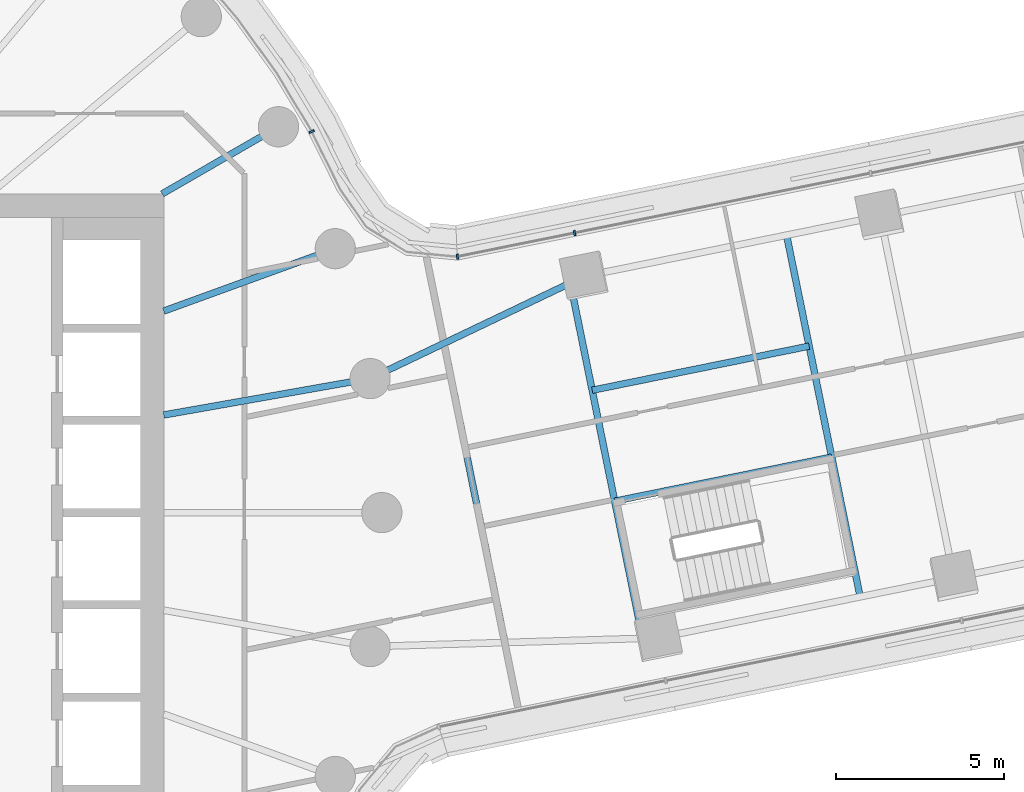
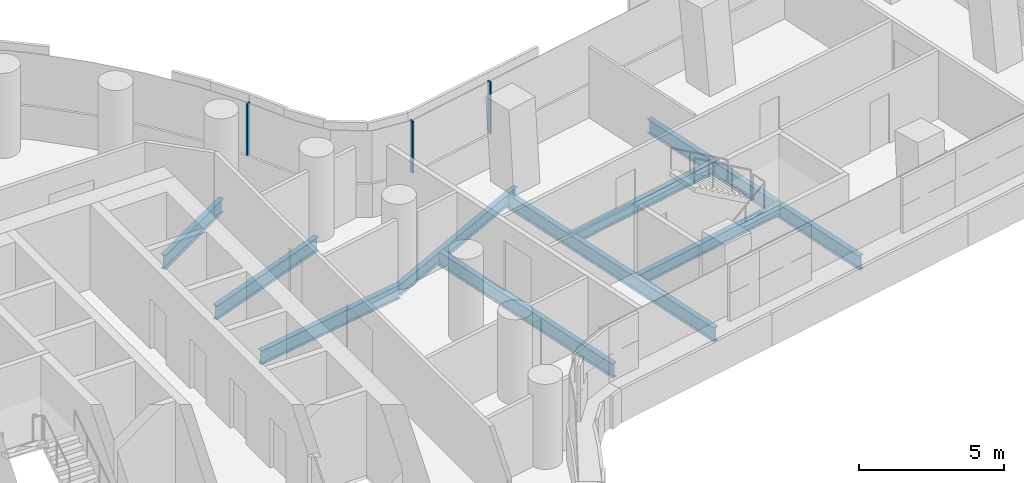
# One storey, part 11 of 31: 9 beams, 3 members, 2 elements without a shape of their own.
"""IFC4 building model written with IfcOpenShell, lengths in metres."""

import ifcopenshell
import ifcopenshell.guid

model = None  # the IFC model being written
_history = None  # IfcOwnerHistory: only IFC2X3 demands one
_inside = {}  # id of a spatial element -> (the spatial element, [elements in it])
_under = {}  # id of a project, library or spatial element -> (it, [spatial elements below it])
_declared = {}  # id of a project -> (the project, [libraries it declares])
_typed = {}  # id of a type object -> (the type object, [elements of that type])
_made_of = {}  # id of a material, layer set ... -> (it, [elements and type objects made of it])


def new_model(schema):
    """Start an empty IFC model of exactly this schema.

    Asked for "IFC4X3", IfcOpenShell would pick the latest addendum, in which some entities
    have other attributes; the version numbers below select the first issue.
    IFC2X3 requires an IfcOwnerHistory on every rooted entity: one is made here for all.
    """
    global model, _history
    if schema == "IFC4X3":
        model = ifcopenshell.file(schema_version=(4, 3, 0, 0))
    else:
        model = ifcopenshell.file(schema=schema)
    _inside.clear()
    _under.clear()
    _declared.clear()
    _typed.clear()
    _made_of.clear()
    _history = None
    if model.schema == "IFC2X3":
        org = make("IfcOrganization", Name="unknown")
        user = make(
            "IfcPersonAndOrganization",
            ThePerson=make("IfcPerson", FamilyName="unknown"),
            TheOrganization=org,
        )
        app = make(
            "IfcApplication",
            ApplicationDeveloper=org,
            Version="unknown",
            ApplicationFullName="unknown",
            ApplicationIdentifier="unknown",
        )
        _history = make(
            "IfcOwnerHistory",
            OwningUser=user,
            OwningApplication=app,
            ChangeAction="ADDED",
            CreationDate=0,
        )
    return model


def make(cls, **values):
    """One entity of the class cls with the attributes given. An attribute that is None is left unset."""
    return model.create_entity(
        cls, **{name: value for name, value in values.items() if value is not None}
    )


def rooted(cls, **values):
    """An entity with a GlobalId (a new one), such as an element, a storey or a relation."""
    return make(cls, GlobalId=ifcopenshell.guid.new(), OwnerHistory=_history, **values)


def si_unit(unit_type, name, prefix=None):
    """IfcSIUnit, for example si_unit("LENGTHUNIT", "METRE", prefix="MILLI")."""
    return make("IfcSIUnit", UnitType=unit_type, Prefix=prefix, Name=name)


def assignment(units):
    """IfcUnitAssignment: the units of a project."""
    return None if units is None else make("IfcUnitAssignment", Units=units)


def point(xyz):
    """IfcCartesianPoint."""
    return None if xyz is None else make("IfcCartesianPoint", Coordinates=xyz)


def direction(xyz):
    """IfcDirection."""
    return None if xyz is None else make("IfcDirection", DirectionRatios=xyz)


def frame(location, z_axis=None, x_axis=None):
    """IfcAxis2Placement3D, a coordinate frame: its origin and axes. An axis left out is left unset."""
    return make(
        "IfcAxis2Placement3D",
        Location=point(location),
        Axis=direction(z_axis),
        RefDirection=direction(x_axis),
    )


def frame_2d(location, x_axis=None):
    """IfcAxis2Placement2D, a coordinate frame in the plane: its origin and x axis."""
    return make(
        "IfcAxis2Placement2D", Location=point(location), RefDirection=direction(x_axis)
    )


def origin():
    """The frame at (0, 0, 0) with its axes left unset."""
    return frame((0.0, 0.0, 0.0))


def origin_2d():
    """The frame at (0, 0) in the plane with its x axis left unset."""
    return frame_2d((0.0, 0.0))


def place(relative_to, where):
    """IfcLocalPlacement: puts the frame where relative to a parent placement (None: the world)."""
    return make(
        "IfcLocalPlacement", PlacementRelTo=relative_to, RelativePlacement=where
    )


def context(
    kind, dimensions, precision=None, world=None, true_north=None, identifier=None
):
    """IfcGeometricRepresentationContext, for example the 3D "Model" context."""
    return make(
        "IfcGeometricRepresentationContext",
        ContextIdentifier=identifier,
        ContextType=kind,
        CoordinateSpaceDimension=dimensions,
        Precision=precision,
        WorldCoordinateSystem=world,
        TrueNorth=true_north,
    )


def subcontext(parent, identifier, kind, view, scale=None):
    """IfcGeometricRepresentationSubContext, for example "Body" below "Model"."""
    return make(
        "IfcGeometricRepresentationSubContext",
        ContextIdentifier=identifier,
        ContextType=kind,
        ParentContext=parent,
        TargetScale=scale,
        TargetView=view,
    )


def project(units=None, contexts=None):
    """IfcProject with its units and contexts."""
    return rooted(
        "IfcProject",
        Name="project",
        RepresentationContexts=contexts,
        UnitsInContext=assignment(units),
    )


def spatial(cls, under=None, at=None, **own):
    """A site, building, storey or space (cls), placed at a placement, below another one or the project."""
    s = rooted(cls, ObjectPlacement=at, **own)
    if under is not None:
        _under.setdefault(under.id(), (under, []))[1].append(s)
    return s


def profile(cls, at=None, kind="AREA", **sizes):
    """A parametric profile (cls). Its sizes go by their IFC names, for example OverallWidth=200.0."""
    return make(cls, ProfileType=kind, Position=at, **sizes)


def rectangle(**sizes):
    """IfcRectangleProfileDef."""
    return profile("IfcRectangleProfileDef", **sizes)


def i_section(**sizes):
    """IfcIShapeProfileDef."""
    return profile("IfcIShapeProfileDef", **sizes)


def extrude(swept, where, along, depth):
    """IfcExtrudedAreaSolid: the profile swept, set in the frame where, extruded along a direction by depth."""
    return make(
        "IfcExtrudedAreaSolid",
        SweptArea=swept,
        Position=where,
        ExtrudedDirection=direction(along),
        Depth=depth,
    )


def shape(context_of_items, identifier, shape_type, items):
    """IfcShapeRepresentation: the items that make up one representation, for example the "Body"."""
    return make(
        "IfcShapeRepresentation",
        ContextOfItems=context_of_items,
        RepresentationIdentifier=identifier,
        RepresentationType=shape_type,
        Items=items,
    )


def material(Name=None, Category=None):
    """IfcMaterial."""
    return make("IfcMaterial", Name=Name, Category=Category)


def layer(
    of_material, thickness, ventilated=None, Name=None, Category=None, Priority=None
):
    """IfcMaterialLayer: one layer of a wall or slab, of a material (None: an air gap)."""
    return make(
        "IfcMaterialLayer",
        Material=of_material,
        LayerThickness=thickness,
        IsVentilated=ventilated,
        Name=Name,
        Category=Category,
        Priority=Priority,
    )


def layer_set(layers, Name=None):
    """IfcMaterialLayerSet."""
    return make("IfcMaterialLayerSet", MaterialLayers=layers, LayerSetName=Name)


def material_profile(
    of_material, cross_section, Name=None, Category=None, Priority=None
):
    """IfcMaterialProfile: a cross section and its material."""
    return make(
        "IfcMaterialProfile",
        Name=Name,
        Material=of_material,
        Profile=cross_section,
        Priority=Priority,
        Category=Category,
    )


def profile_set(profiles, Name=None, composite=None):
    """IfcMaterialProfileSet."""
    return make(
        "IfcMaterialProfileSet",
        Name=Name,
        MaterialProfiles=profiles,
        CompositeProfile=composite,
    )


def made_of(thing, what):
    """Note that an element or type object is made of a material, layer set ...; save() writes the relation."""
    if what is not None:
        _made_of.setdefault(what.id(), (what, []))[1].append(thing)
    return thing


def type_object(cls, material=None, **own):
    """A type object (cls), such as IfcWallType, which elements share."""
    return made_of(rooted(cls, **own), material)


def element(
    cls,
    number,
    at=None,
    inside=None,
    cuts=None,
    type_object=None,
    material=None,
    context=None,
    identifier="Body",
    shape_type=None,
    held_by="IfcProductDefinitionShape",
    body=None,
    shapes=None,
    **own,
):
    """One element of the class cls, such as IfcWall. Its Tag is "e" and its number.

    at: its placement. inside: the storey or other place that contains it. cuts: it is an
    opening in that element (IfcRelVoidsElement). A single representation is given by context,
    identifier, shape_type and body (its items); several are given by shapes. held_by: the class
    of the entity that holds the representations. save() writes the other relations.
    """
    e = rooted(cls, Tag="e%d" % number, ObjectPlacement=at, **own)
    if body is not None:
        shapes = [shape(context, identifier, shape_type, body)]
    if shapes is not None:
        e.Representation = make(held_by, Representations=shapes)
    if inside is not None:
        _inside.setdefault(inside.id(), (inside, []))[1].append(e)
    if cuts is not None:
        rooted(
            "IfcRelVoidsElement", RelatingBuildingElement=cuts, RelatedOpeningElement=e
        )
    if type_object is not None:
        _typed.setdefault(type_object.id(), (type_object, []))[1].append(e)
    return made_of(e, material)


def aggregate(whole, parts):
    """IfcRelAggregates: a whole, such as a stair, and the parts it consists of."""
    return rooted("IfcRelAggregates", RelatingObject=whole, RelatedObjects=parts)


def save(model, path):
    """Write the relations noted so far, then the file.

    IfcRelAggregates (storeys below a building ...), IfcRelContainedInSpatialStructure (elements
    in a storey), IfcRelDefinesByType, IfcRelAssociatesMaterial and IfcRelDeclares: one each for
    every whole, place, type object, material and project.
    """
    for whole, parts in _under.values():
        aggregate(whole, parts)
    for where, things in _inside.values():
        rooted(
            "IfcRelContainedInSpatialStructure",
            RelatedElements=things,
            RelatingStructure=where,
        )
    for kind, things in _typed.values():
        rooted("IfcRelDefinesByType", RelatedObjects=things, RelatingType=kind)
    for what, things in _made_of.values():
        rooted("IfcRelAssociatesMaterial", RelatedObjects=things, RelatingMaterial=what)
    for by, libraries in _declared.values():
        rooted("IfcRelDeclares", RelatingContext=by, RelatedDefinitions=libraries)
    model.write(path)


model = new_model("IFC4")

# Units and contexts
model_context = context("Model", 3, precision=1e-05, world=origin(), true_north=direction((0.0, 1.0)))
body_context = subcontext(model_context, "Body", "Model", "MODEL_VIEW")
ifc_project = project(units=[si_unit("LENGTHUNIT", "METRE"), si_unit("AREAUNIT", "SQUARE_METRE"), si_unit("VOLUMEUNIT", "CUBIC_METRE"), si_unit("PLANEANGLEUNIT", "RADIAN"), si_unit("MASSUNIT", "GRAM", prefix="KILO")], contexts=[model_context])

# Site, building, storey
site_placement = place(None, origin())
site = spatial("IfcSite", under=ifc_project, at=site_placement, CompositionType="ELEMENT")
building_placement = place(site_placement, origin())
building = spatial("IfcBuilding", under=site, at=building_placement, Name="Tamarind Cross Interchange Tower", CompositionType="ELEMENT")
storey_placement = place(building_placement, frame((0.0, 0.0, 75.25)))
storey = spatial("IfcBuildingStorey", under=building, at=storey_placement, Name="L17", CompositionType="ELEMENT", Elevation=75.25)

# Beams
ifc_material_1 = material(Name="Steel Q355B", Category="steel")
ifc_material_profile_1 = material_profile(ifc_material_1, i_section(OverallWidth=0.198974609375, OverallDepth=0.49609375, WebThickness=0.009033203125, FlangeThickness=0.013916015625, FilletRadius=0.012939453125, at=origin_2d()), Name="HN 496x199x9x14")
ifc_profile_set_1 = profile_set([ifc_material_profile_1], Name="Steel Q355B")
beam_type_1 = type_object("IfcBeamType", Name="Composite beam HN 496x199x9x14 Q355B", PredefinedType="BEAM", material=ifc_profile_set_1)
beam_1_placement = place(storey_placement, frame((29.037841796875, 7.04345703125, -0.387939453125), z_axis=(-0.902419471347, -0.430858558849, 0.0), x_axis=(0.430858558849, -0.902419471347, 0.0)))
element("IfcBeam", 1, at=beam_1_placement, inside=storey, type_object=beam_type_1, Name="Beam E-linkep", PredefinedType="BEAM", context=body_context, shape_type="SweptSolid", body=[
    extrude(i_section(OverallWidth=0.198974609375, OverallDepth=0.49609375, WebThickness=0.009033203125, FlangeThickness=0.013916015625, FilletRadius=0.012939453125, at=origin_2d()), origin(), (0.0, 0.0, 1.0), 7.077880859375),
])
beam_2_placement = place(storey_placement, frame((29.941650390625, 0.339111328125, -0.387939453125), z_axis=(0.979952577823, 0.199230884197, 0.0), x_axis=(-0.199230884197, 0.979952577823, 0.0)))
element("IfcBeam", 2, at=beam_2_placement, inside=storey, type_object=beam_type_1, Name="Beam E-tr1", PredefinedType="BEAM", context=body_context, shape_type="SweptSolid", body=[
    extrude(i_section(OverallWidth=0.198974609375, OverallDepth=0.49609375, WebThickness=0.009033203125, FlangeThickness=0.013916015625, FilletRadius=0.012939453125, at=origin_2d()), origin(), (0.0, 0.0, 1.0), 6.60009765625),
])
beam_3_placement = place(storey_placement, frame((29.269287109375, 3.646484375, -0.387939453125), z_axis=(0.979951109481, 0.199238106363, 0.0), x_axis=(-0.199238106363, 0.979951109481, 0.0)))
element("IfcBeam", 3, at=beam_3_placement, inside=storey, type_object=beam_type_1, Name="Beam E-stripp", PredefinedType="BEAM", context=body_context, shape_type="SweptSolid", body=[
    extrude(i_section(OverallWidth=0.198974609375, OverallDepth=0.49609375, WebThickness=0.009033203125, FlangeThickness=0.013916015625, FilletRadius=0.012939453125, at=origin_2d()), origin(), (0.0, 0.0, 1.0), 6.599853515625),
])
ifc_material_profile_2 = material_profile(ifc_material_1, i_section(OverallWidth=0.198974609375, OverallDepth=0.595947265625, WebThickness=0.010009765625, FlangeThickness=0.014892578125, FilletRadius=0.012939453125, at=origin_2d()), Name="HN 596x199x10x15")
ifc_profile_set_2 = profile_set([ifc_material_profile_2], Name="Steel Q355B")
beam_type_2 = type_object("IfcBeamType", Name="Composite beam HN 596x199x10x15 Q355B", PredefinedType="BEAM", material=ifc_profile_set_2)
beam_4_placement = place(storey_placement, frame((22.650634765625, 3.993896484375, -0.43798828125), z_axis=(-0.984809127561, -0.173640382036, 0.0), x_axis=(0.173640382036, -0.984809127561, 0.0)))
element("IfcBeam", 4, at=beam_4_placement, inside=storey, type_object=beam_type_2, Name="Beam HH01", PredefinedType="BEAM", context=body_context, shape_type="SweptSolid", body=[
    extrude(i_section(OverallWidth=0.198974609375, OverallDepth=0.595947265625, WebThickness=0.010009765625, FlangeThickness=0.014892578125, FilletRadius=0.012939453125, at=origin_2d()), origin(), (0.0, 0.0, 1.0), 6.24560546875),
])
beam_5_placement = place(storey_placement, frame((21.613037109375, 7.866455078125, -0.43798828125), z_axis=(-0.939701685589, -0.341995236956, 0.0), x_axis=(0.341995236956, -0.939701685589, 0.0)))
element("IfcBeam", 5, at=beam_5_placement, inside=storey, type_object=beam_type_2, Name="Beam HH02", PredefinedType="BEAM", context=body_context, shape_type="SweptSolid", body=[
    extrude(i_section(OverallWidth=0.198974609375, OverallDepth=0.595947265625, WebThickness=0.010009765625, FlangeThickness=0.014892578125, FilletRadius=0.012939453125, at=origin_2d()), origin(), (0.0, 0.0, 1.0), 5.441162109375),
])
beam_6_placement = place(storey_placement, frame((19.918701171875, 11.5, -0.43798828125), z_axis=(-0.866026010844, -0.49999894854, 0.0), x_axis=(0.49999894854, -0.866026010844, 0.0)))
element("IfcBeam", 6, at=beam_6_placement, inside=storey, type_object=beam_type_2, Name="Beam HH03", PredefinedType="BEAM", context=body_context, shape_type="SweptSolid", body=[
    extrude(i_section(OverallWidth=0.198974609375, OverallDepth=0.595947265625, WebThickness=0.010009765625, FlangeThickness=0.014892578125, FilletRadius=0.012939453125, at=origin_2d()), origin(), (0.0, 0.0, 1.0), 4.0),
])
ifc_material_profile_3 = material_profile(ifc_material_1, i_section(OverallWidth=0.199951171875, OverallDepth=0.60009765625, WebThickness=0.010986328125, FlangeThickness=0.01708984375, FilletRadius=0.012939453125, at=origin_2d()), Name="HN 600x200x11x17")
ifc_profile_set_3 = profile_set([ifc_material_profile_3], Name="Steel Q355B")
beam_type_3 = type_object("IfcBeamType", Name="Composite beam HN 600x200x11x17 Q355B", PredefinedType="BEAM", material=ifc_profile_set_3)
beam_7_placement = place(storey_placement, frame((30.77294921875, -3.749755859375, -0.43994140625), z_axis=(-0.199242250621, 0.979950266885, 0.0), x_axis=(-0.979950266885, -0.199242250621, 0.0)))
element("IfcBeam", 7, at=beam_7_placement, inside=storey, type_object=beam_type_3, Name="Beam E-x298", PredefinedType="BEAM", context=body_context, shape_type="SweptSolid", body=[
    extrude(i_section(OverallWidth=0.199951171875, OverallDepth=0.60009765625, WebThickness=0.010986328125, FlangeThickness=0.01708984375, FilletRadius=0.012939453125, at=origin_2d()), origin(), (0.0, 0.0, 1.0), 10.81005859375),
])
beam_8_placement = place(storey_placement, frame((37.256103515625, -2.5107421875, -0.43994140625), z_axis=(-0.19923943307, 0.979950839741, 0.0), x_axis=(-0.979950839741, -0.19923943307, 0.0)))
element("IfcBeam", 8, at=beam_8_placement, inside=storey, type_object=beam_type_3, Name="Beam E-x364", PredefinedType="BEAM", context=body_context, shape_type="SweptSolid", body=[
    extrude(i_section(OverallWidth=0.199951171875, OverallDepth=0.60009765625, WebThickness=0.010986328125, FlangeThickness=0.01708984375, FilletRadius=0.012939453125, at=origin_2d()), origin(), (0.0, 0.0, 1.0), 11.0),
])
beam_9_placement = place(storey_placement, frame((26.665283203125, -3.873291015625, -0.43994140625), z_axis=(-0.19924147403, 0.97995042478, 0.0), x_axis=(-0.97995042478, -0.19924147403, 0.0)))
element("IfcBeam", 9, at=beam_9_placement, inside=storey, type_object=beam_type_3, Name="Beam E-x258", PredefinedType="BEAM", context=body_context, shape_type="SweptSolid", body=[
    extrude(i_section(OverallWidth=0.199951171875, OverallDepth=0.60009765625, WebThickness=0.010986328125, FlangeThickness=0.01708984375, FilletRadius=0.012939453125, at=origin_2d()), origin(), (0.0, 0.0, 1.0), 9.1005859375),
])

# Curtain wall, member
ifc_material_2 = material(Name="Aluminium 6063-T6", Category="aluminium")
ifc_layer = layer(ifc_material_2, 0.159912109375)
ifc_layer_set = layer_set([ifc_layer], Name="Aluminium 6063-T6")
curtain_wall_type = type_object("IfcCurtainWallType", Name="Office curtain wall, 9.0 m bays", PredefinedType="NOTDEFINED", material=ifc_layer_set)
curtain_wall_1_placement = place(storey_placement, origin())
curtain_wall_1 = element("IfcCurtainWall", 10, at=curtain_wall_1_placement, inside=storey, type_object=curtain_wall_type, Name="CWS-L17-09", PredefinedType="NOTDEFINED")
ifc_material_profile_4 = material_profile(ifc_material_2, rectangle(XDim=0.06005859375, YDim=0.159912109375, at=origin_2d()), Name="Mullion CW1")
ifc_profile_set_4 = profile_set([ifc_material_profile_4], Name="Aluminium 6063-T6")
member_type = type_object("IfcMemberType", Name="Mullion CW1", PredefinedType="MULLION", material=ifc_profile_set_4)
member_1_placement = place(storey_placement, frame((28.745849609375, 8.332275390625, 1.39990234375), z_axis=(0.0, 0.0, 1.0), x_axis=(-0.980197408272, -0.19802282903, 0.0)))
member_1 = element("IfcMember", 11, at=member_1_placement, type_object=member_type, Name="CWM-L17-09-02", PredefinedType="MULLION", context=body_context, shape_type="SweptSolid", body=[
    extrude(rectangle(XDim=0.06005859375, YDim=0.159912109375, at=origin_2d()), origin(), (0.0, 0.0, 1.0), 2.170166015625),
])
aggregate(curtain_wall_1, [member_1])

# Curtain wall, members
curtain_wall_2_placement = place(storey_placement, origin())
curtain_wall_2 = element("IfcCurtainWall", 12, at=curtain_wall_2_placement, inside=storey, type_object=curtain_wall_type, Name="CWS-L17-10", PredefinedType="NOTDEFINED")
member_2_placement = place(storey_placement, frame((25.25341796875, 7.626708984375, 1.39990234375), z_axis=(0.0, 0.0, 1.0), x_axis=(-0.998634097767, -0.052248816044, 0.0)))
member_2 = element("IfcMember", 13, at=member_2_placement, type_object=member_type, Name="CWM-L17-10-00", PredefinedType="MULLION", context=body_context, shape_type="SweptSolid", body=[
    extrude(rectangle(XDim=0.06005859375, YDim=0.159912109375, at=origin_2d()), origin(), (0.0, 0.0, 1.0), 2.170166015625),
])
member_3_placement = place(storey_placement, frame((20.907958984375, 11.3564453125, 1.39990234375), z_axis=(0.0, 0.0, 1.0), x_axis=(-0.443058811505, 0.896492548518, 0.0)))
member_3 = element("IfcMember", 14, at=member_3_placement, type_object=member_type, Name="CWM-L17-10-01", PredefinedType="MULLION", context=body_context, shape_type="SweptSolid", body=[
    extrude(rectangle(XDim=0.06005859375, YDim=0.159912109375, at=origin_2d()), origin(), (0.0, 0.0, 1.0), 2.170166015625),
])
aggregate(curtain_wall_2, [member_2, member_3])

save(model, "model.ifc")
